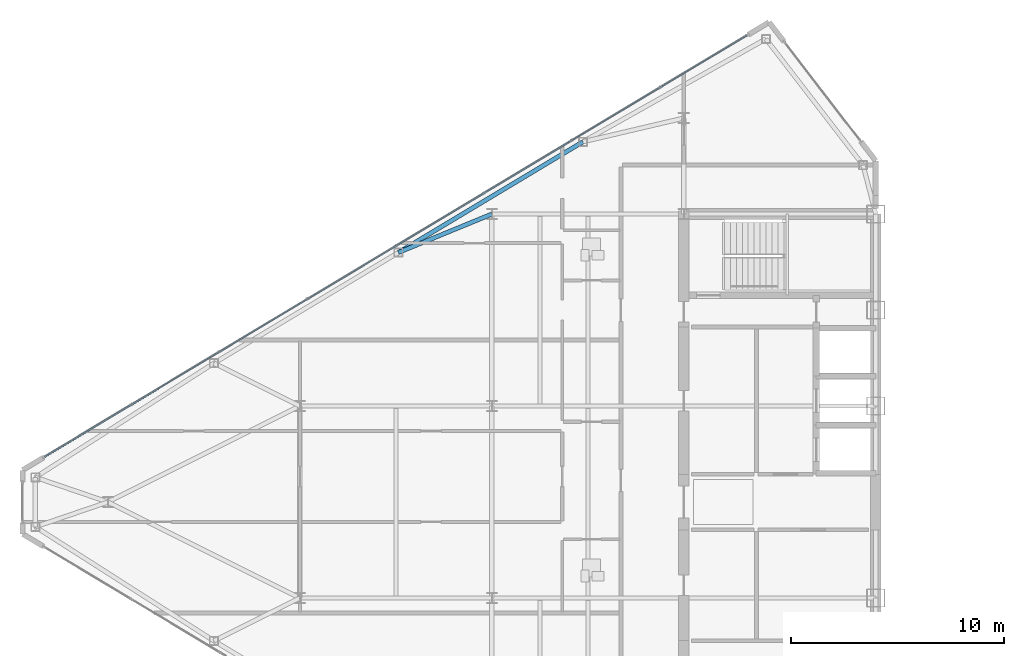
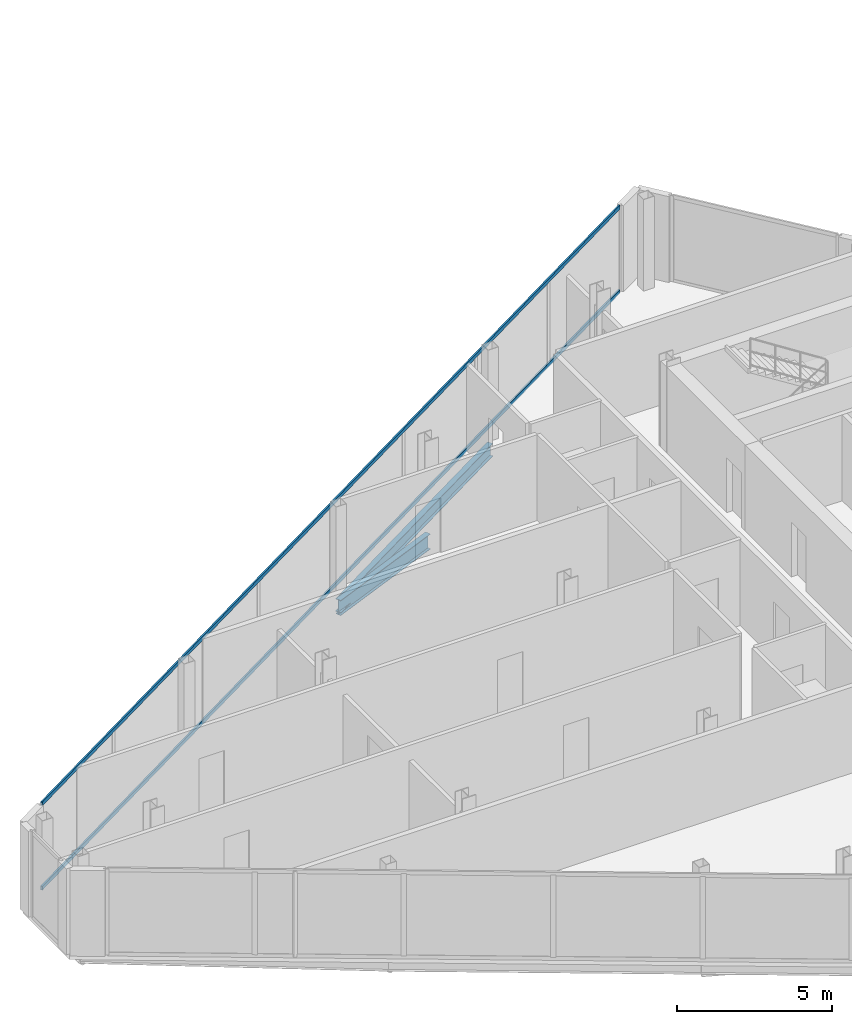
# One storey, part 9 of 25: 2 beams, 2 members, 1 element without a shape of its own.
"""IFC4 building model written with IfcOpenShell, lengths in metres."""

from ifc_helpers import new_model, si_unit, direction, frame, origin, origin_2d, place, context, subcontext, project, spatial, rectangle, i_section, extrude, source, transform, mapped, material, layer, layer_set, material_profile, profile_set, type_object, type_shapes, element, aggregate, save


model = new_model("IFC4")

# Units and contexts
model_context = context("Model", 3, precision=1e-05, world=origin(), true_north=direction((0.0, 1.0)))
body_context = subcontext(model_context, "Body", "Model", "MODEL_VIEW")
ifc_project = project(units=[si_unit("LENGTHUNIT", "METRE"), si_unit("AREAUNIT", "SQUARE_METRE"), si_unit("VOLUMEUNIT", "CUBIC_METRE"), si_unit("PLANEANGLEUNIT", "RADIAN"), si_unit("MASSUNIT", "GRAM", prefix="KILO")], contexts=[model_context])

# Site, building, storey
site_placement = place(None, origin())
site = spatial("IfcSite", under=ifc_project, at=site_placement, CompositionType="ELEMENT")
building_placement = place(site_placement, origin())
building = spatial("IfcBuilding", under=site, at=building_placement, Name="Seokmaru Belvedere", CompositionType="ELEMENT")
storey_placement = place(building_placement, frame((0.0, 0.0, 213.89990234375)))
storey = spatial("IfcBuildingStorey", under=building, at=storey_placement, Name="L57", CompositionType="ELEMENT", Elevation=213.89990234375)

# Beams
ifc_material_1 = material(Name="Steel SM355 (355 MPa)", Category="steel")
ifc_material_profile_1 = material_profile(ifc_material_1, i_section(OverallWidth=0.199951171875, OverallDepth=0.5, WebThickness=0.010009765625, FlangeThickness=0.01611328125, at=origin_2d()), Name="H-500x200x10x16")
ifc_profile_set_1 = profile_set([ifc_material_profile_1], Name="Steel SM355 (355 MPa)")
beam_type_1 = type_object("IfcBeamType", Name="Perimeter Spandrel Beam H-500", PredefinedType="SPANDREL", material=ifc_profile_set_1)
shared_shape_1 = source(origin(), body_context, "Body", "SweptSolid", [
    extrude(i_section(OverallWidth=0.199951171875, OverallDepth=0.5, WebThickness=0.010009765625, FlangeThickness=0.01611328125, at=origin_2d()), origin(), (0.0, 0.0, 1.0), 10.087646484375),
])
type_shapes(beam_type_1, [shared_shape_1])
beam_1_placement = place(storey_placement, frame((-41.229736328125, 16.888916015625, -0.469970703125), z_axis=(-0.857499332045, -0.514485078056, 0.0), x_axis=(0.514485078056, -0.857499332045, 0.0)))
element("IfcBeam", 1, at=beam_1_placement, inside=storey, type_object=beam_type_1, Name="L57 W Faceted Flank Spandrel N-2", PredefinedType="SPANDREL", context=body_context, shape_type="MappedRepresentation", body=[
    mapped(shared_shape_1, transform((0.0, 0.0, 0.0), scale=1.0)),
])
ifc_material_profile_2 = material_profile(ifc_material_1, i_section(OverallWidth=0.199951171875, OverallDepth=0.60009765625, WebThickness=0.010986328125, FlangeThickness=0.01708984375, at=origin_2d()), Name="H-600x200x11x17")
ifc_profile_set_2 = profile_set([ifc_material_profile_2], Name="Steel SM355 (355 MPa)")
beam_type_2 = type_object("IfcBeamType", Name="Primary Floor Girder H-600", PredefinedType="BEAM", material=ifc_profile_set_2)
shared_shape_2 = source(origin(), body_context, "Body", "SweptSolid", [
    extrude(i_section(OverallWidth=0.199951171875, OverallDepth=0.60009765625, WebThickness=0.010986328125, FlangeThickness=0.01708984375, at=origin_2d()), origin(), (0.0, 0.0, 1.0), 4.73583984375),
])
type_shapes(beam_type_2, [shared_shape_2])
beam_2_placement = place(storey_placement, frame((-49.8798828125, 11.698974609375, -0.52001953125), z_axis=(0.924860562953, 0.380306375301, 0.0), x_axis=(-0.380306375301, 0.924860562953, 0.0)))
element("IfcBeam", 2, at=beam_2_placement, inside=storey, type_object=beam_type_2, Name="L57 W Flank Radial Floor Girder N-2", PredefinedType="BEAM", context=body_context, shape_type="MappedRepresentation", body=[
    mapped(shared_shape_2, transform((0.0, 0.0, 0.0), scale=1.0)),
])

# Curtain wall, members
ifc_material_2 = material(Name="Bronze Triple Insulating Glass", Category="glass")
ifc_layer = layer(ifc_material_2, 0.179931640625)
ifc_layer_set = layer_set([ifc_layer], Name="Bronze Triple Insulating Glass")
curtain_wall_type = type_object("IfcCurtainWallType", Name="High-Rise Wind-Corner Curtain Wall System CW-5", PredefinedType="NOTDEFINED", material=ifc_layer_set)
curtain_wall_placement = place(storey_placement, origin())
curtain_wall = element("IfcCurtainWall", 3, at=curtain_wall_placement, inside=storey, type_object=curtain_wall_type, Name="L57 Curtain Wall WF3", PredefinedType="NOTDEFINED")
ifc_material_3 = material(Name="Anodised Bronze Aluminium", Category="aluminium")
ifc_material_profile_3 = material_profile(ifc_material_3, rectangle(XDim=0.06494140625, YDim=0.14990234375, at=origin_2d()), Name="CW-T-65x150")
ifc_profile_set_3 = profile_set([ifc_material_profile_3], Name="Anodised Bronze Aluminium")
member_type = type_object("IfcMemberType", Name="Bronze Unitised Transom 65x150", PredefinedType="USERDEFINED", material=ifc_profile_set_3)
shared_shape_3 = source(origin(), body_context, "Body", "SweptSolid", [
    extrude(rectangle(XDim=0.06494140625, YDim=0.14990234375, at=origin_2d()), origin(), (0.0, 0.0, 1.0), 38.386962890625),
])
type_shapes(member_type, [shared_shape_3])
member_1_placement = place(storey_placement, frame((-33.541748046875, 21.875, 0.03271484375), z_axis=(-0.85749180336, -0.514497626011, 0.0), x_axis=(0.514497626011, -0.85749180336, 0.0)))
member_1 = element("IfcMember", 4, at=member_1_placement, type_object=member_type, Name="CW:L57:WF3 Continuous Transom 1", ObjectType="TRANSOM", PredefinedType="USERDEFINED", context=body_context, shape_type="MappedRepresentation", body=[
    mapped(shared_shape_3, transform((0.0, 0.0, 0.0), scale=1.0)),
])
member_2_placement = place(storey_placement, frame((-33.541748046875, 21.875, 3.34765625), z_axis=(-0.85749180336, -0.514497626011, 0.0), x_axis=(0.514497626011, -0.85749180336, 0.0)))
member_2 = element("IfcMember", 5, at=member_2_placement, type_object=member_type, Name="CW:L57:WF3 Continuous Transom 2", ObjectType="TRANSOM", PredefinedType="USERDEFINED", context=body_context, shape_type="MappedRepresentation", body=[
    mapped(shared_shape_3, transform((0.0, 0.0, 0.0), scale=1.0)),
])
aggregate(curtain_wall, [member_1, member_2])

save(model, "model.ifc")
